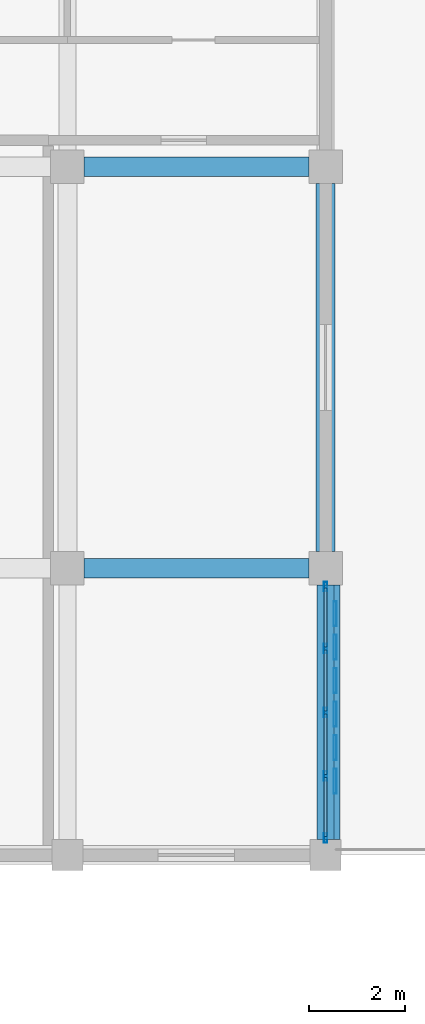
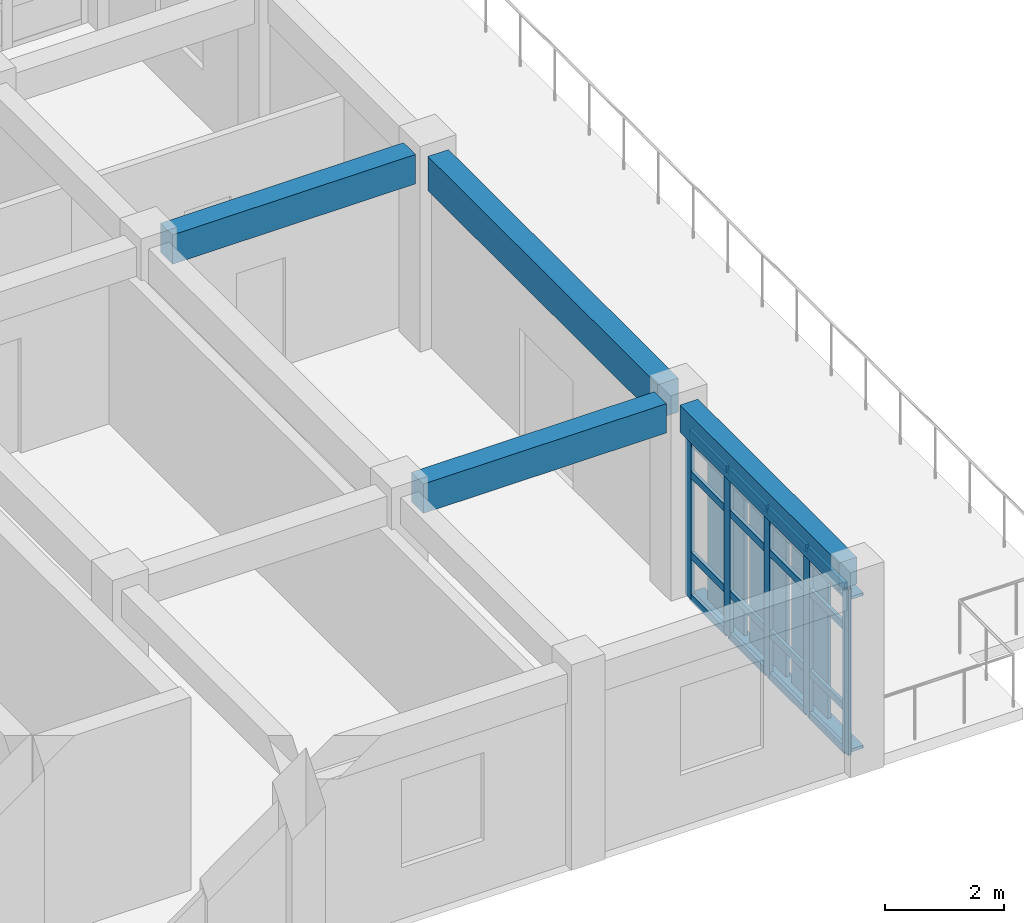
# One storey, part 12 of 23: 29 members, 4 beams, 1 element without a shape of its own.
"""IFC4 building model written with IfcOpenShell, lengths in metres."""

from ifc_helpers import new_model, si_unit, direction, frame, origin, origin_2d, place, context, subcontext, project, spatial, rectangle, hollow_rectangle, extrude, material, layer, layer_set, material_profile, profile_set, type_object, element, aggregate, save


model = new_model("IFC4")

# Units and contexts
model_context = context("Model", 3, precision=1e-05, world=origin(), true_north=direction((0.0, 1.0)))
body_context = subcontext(model_context, "Body", "Model", "MODEL_VIEW")
ifc_project = project(units=[si_unit("LENGTHUNIT", "METRE"), si_unit("AREAUNIT", "SQUARE_METRE"), si_unit("VOLUMEUNIT", "CUBIC_METRE"), si_unit("PLANEANGLEUNIT", "RADIAN"), si_unit("MASSUNIT", "GRAM", prefix="KILO")], contexts=[model_context])

# Site, building, storey
site_placement = place(None, origin())
site = spatial("IfcSite", under=ifc_project, at=site_placement, CompositionType="ELEMENT")
building_placement = place(site_placement, origin())
building = spatial("IfcBuilding", under=site, at=building_placement, Name="Krzemoval Escarpment Law Courts", CompositionType="ELEMENT")
storey_placement = place(building_placement, frame((0.0, 0.0, 33.60009765625)))
storey = spatial("IfcBuildingStorey", under=building, at=storey_placement, Name="L07", CompositionType="ELEMENT", Elevation=33.60009765625)

# Beams
ifc_material_1 = material(Name="Concrete C40/50", Category="concrete")
ifc_material_profile_1 = material_profile(ifc_material_1, rectangle(XDim=0.35009765625, YDim=0.550048828125, at=origin_2d()), Name="RCB 350x550")
ifc_profile_set_1 = profile_set([ifc_material_profile_1], Name="Concrete C40/50")
beam_type_1 = type_object("IfcBeamType", Name="BM-RC-350x550", PredefinedType="BEAM", material=ifc_profile_set_1)
beam_1_placement = place(storey_placement, frame((162.0, 93.925048828125, 3.6748046875), z_axis=(0.0, 1.0, 0.0), x_axis=(-1.0, 0.0, 0.0)))
element("IfcBeam", 1, at=beam_1_placement, inside=storey, type_object=beam_type_1, Name="Beam FG-L07-2737", PredefinedType="BEAM", context=body_context, shape_type="SweptSolid", body=[
    extrude(rectangle(XDim=0.35009765625, YDim=0.550048828125, at=origin_2d()), origin(), (0.0, 0.0, 1.0), 5.324951171875),
])
ifc_material_2 = material(Name="Concrete C40/50", Category="concrete")
ifc_material_profile_2 = material_profile(ifc_material_2, rectangle(XDim=0.39990234375, YDim=0.60009765625, at=origin_2d()), Name="RCB 400x600")
ifc_profile_set_2 = profile_set([ifc_material_profile_2], Name="Concrete C40/50")
beam_type_2 = type_object("IfcBeamType", Name="BM-RC-400x600", PredefinedType="BEAM", material=ifc_profile_set_2)
for number, where, z_axis, x_axis, name in (
    (2, (156.949951171875, 99.60009765625, 3.64990234375), (1.0, 0.0, 0.0), (0.0, 1.0, 0.0), "Beam FG-L07-2701"),
    (3, (156.949951171875, 108.0, 3.64990234375), (1.0, 0.0, 0.0), (0.0, 1.0, 0.0), "Beam FG-L07-2703"),
):
    element("IfcBeam", number, at=place(storey_placement, frame(where, z_axis=z_axis, x_axis=x_axis)), inside=storey, type_object=beam_type_2, Name=name, PredefinedType="BEAM", context=body_context, shape_type="SweptSolid", body=[
        extrude(rectangle(XDim=0.39990234375, YDim=0.60009765625, at=origin_2d()), origin(), (0.0, 0.0, 1.0), 4.699951171875),
    ])
ifc_material_3 = material(Name="Concrete C40/50", Category="concrete")
ifc_material_profile_3 = material_profile(ifc_material_3, rectangle(XDim=0.39990234375, YDim=0.699951171875, at=origin_2d()), Name="RCB 400x700")
ifc_profile_set_3 = profile_set([ifc_material_profile_3], Name="Concrete C40/50")
beam_type_3 = type_object("IfcBeamType", Name="BM-RC-400x700", PredefinedType="BEAM", material=ifc_profile_set_3)
beam_2_placement = place(storey_placement, frame((162.0, 99.949951171875, 3.599853515625), z_axis=(0.0, 1.0, 0.0), x_axis=(-1.0, 0.0, 0.0)))
element("IfcBeam", 4, at=beam_2_placement, inside=storey, type_object=beam_type_3, Name="Beam FG-L07-2738", PredefinedType="BEAM", context=body_context, shape_type="SweptSolid", body=[
    extrude(rectangle(XDim=0.39990234375, YDim=0.699951171875, at=origin_2d()), origin(), (0.0, 0.0, 1.0), 7.699951171875),
])

# Curtain wall, members
ifc_material_4 = material(Name="Aluminium 6063-T6", Category="aluminium")
ifc_layer = layer(ifc_material_4, 0.219970703125)
ifc_layer_set = layer_set([ifc_layer], Name="Aluminium 6063-T6")
curtain_wall_type = type_object("IfcCurtainWallType", Name="CW-CHMB-4200", PredefinedType="USERDEFINED", material=ifc_layer_set)
curtain_wall_placement = place(storey_placement, origin())
curtain_wall = element("IfcCurtainWall", 5, at=curtain_wall_placement, inside=storey, type_object=curtain_wall_type, Name="Unitised Curtain Wall FCW-L07-160", ObjectType="UNITISED_CURTAIN_WALL", PredefinedType="USERDEFINED")
ifc_material_5 = material(Name="Aluminium 6063-T6", Category="aluminium")
ifc_material_profile_4 = material_profile(ifc_material_5, hollow_rectangle(XDim=0.06494140625, YDim=0.199951171875, WallThickness=0.00439453125, at=origin_2d()), Name="ALU M65x200")
ifc_profile_set_4 = profile_set([ifc_material_profile_4], Name="Aluminium 6063-T6")
member_type_1 = type_object("IfcMemberType", Name="CWM-65x200", PredefinedType="MULLION", material=ifc_profile_set_4)
member_1_placement = place(storey_placement, frame((162.0, 99.217529296875, 0.0), z_axis=(0.0, 0.0, 1.0), x_axis=(1.0, 0.0, 0.0)))
member_1 = element("IfcMember", 6, at=member_1_placement, type_object=member_type_1, Name="FCW-L07-160 mullion 1", PredefinedType="MULLION", context=body_context, shape_type="SweptSolid", body=[
    extrude(hollow_rectangle(XDim=0.06494140625, YDim=0.199951171875, WallThickness=0.00439453125, at=origin_2d()), origin(), (0.0, 0.0, 1.0), 3.39990234375),
])
member_2_placement = place(storey_placement, frame((162.0, 97.918701171875, 0.0), z_axis=(0.0, 0.0, 1.0), x_axis=(1.0, 0.0, 0.0)))
member_2 = element("IfcMember", 7, at=member_2_placement, type_object=member_type_1, Name="FCW-L07-160 mullion 2", PredefinedType="MULLION", context=body_context, shape_type="SweptSolid", body=[
    extrude(hollow_rectangle(XDim=0.06494140625, YDim=0.199951171875, WallThickness=0.00439453125, at=origin_2d()), origin(), (0.0, 0.0, 1.0), 3.39990234375),
])
member_3_placement = place(storey_placement, frame((162.0, 96.58740234375, 0.0), z_axis=(0.0, 0.0, 1.0), x_axis=(1.0, 0.0, 0.0)))
member_3 = element("IfcMember", 8, at=member_3_placement, type_object=member_type_1, Name="FCW-L07-160 mullion 3", PredefinedType="MULLION", context=body_context, shape_type="SweptSolid", body=[
    extrude(hollow_rectangle(XDim=0.06494140625, YDim=0.199951171875, WallThickness=0.00439453125, at=origin_2d()), origin(), (0.0, 0.0, 1.0), 3.39990234375),
])
member_4_placement = place(storey_placement, frame((162.0, 95.25634765625, 0.0), z_axis=(0.0, 0.0, 1.0), x_axis=(1.0, 0.0, 0.0)))
member_4 = element("IfcMember", 9, at=member_4_placement, type_object=member_type_1, Name="FCW-L07-160 mullion 4", PredefinedType="MULLION", context=body_context, shape_type="SweptSolid", body=[
    extrude(hollow_rectangle(XDim=0.06494140625, YDim=0.199951171875, WallThickness=0.00439453125, at=origin_2d()), origin(), (0.0, 0.0, 1.0), 3.39990234375),
])
member_5_placement = place(storey_placement, frame((162.0, 93.95751953125, 0.0), z_axis=(0.0, 0.0, 1.0), x_axis=(1.0, 0.0, 0.0)))
member_5 = element("IfcMember", 10, at=member_5_placement, type_object=member_type_1, Name="FCW-L07-160 mullion 5", PredefinedType="MULLION", context=body_context, shape_type="SweptSolid", body=[
    extrude(hollow_rectangle(XDim=0.06494140625, YDim=0.199951171875, WallThickness=0.00439453125, at=origin_2d()), origin(), (0.0, 0.0, 1.0), 3.39990234375),
])
ifc_material_6 = material(Name="Aluminium 6063-T6", Category="aluminium")
ifc_material_profile_5 = material_profile(ifc_material_6, hollow_rectangle(XDim=0.06494140625, YDim=0.14990234375, WallThickness=0.00439453125, at=origin_2d()), Name="ALU T65x150")
ifc_profile_set_5 = profile_set([ifc_material_profile_5], Name="Aluminium 6063-T6")
member_type_2 = type_object("IfcMemberType", Name="CWT-65x150", PredefinedType="USERDEFINED", material=ifc_profile_set_5)
member_6_placement = place(storey_placement, frame((162.0, 99.18505859375, 0.032470703125), z_axis=(0.0, -1.0, 0.0), x_axis=(1.0, 0.0, 0.0)))
member_6 = element("IfcMember", 11, at=member_6_placement, type_object=member_type_2, Name="FCW-L07-160 transom 1.1", ObjectType="TRANSOM", PredefinedType="USERDEFINED", context=body_context, shape_type="SweptSolid", body=[
    extrude(hollow_rectangle(XDim=0.06494140625, YDim=0.14990234375, WallThickness=0.00439453125, at=origin_2d()), origin(), (0.0, 0.0, 1.0), 1.23388671875),
])
member_7_placement = place(storey_placement, frame((162.0, 99.18505859375, 0.89990234375), z_axis=(0.0, -1.0, 0.0), x_axis=(1.0, 0.0, 0.0)))
member_7 = element("IfcMember", 12, at=member_7_placement, type_object=member_type_2, Name="FCW-L07-160 transom 1.2", ObjectType="TRANSOM", PredefinedType="USERDEFINED", context=body_context, shape_type="SweptSolid", body=[
    extrude(hollow_rectangle(XDim=0.06494140625, YDim=0.14990234375, WallThickness=0.00439453125, at=origin_2d()), origin(), (0.0, 0.0, 1.0), 1.23388671875),
])
member_8_placement = place(storey_placement, frame((162.0, 99.18505859375, 2.5498046875), z_axis=(0.0, -1.0, 0.0), x_axis=(1.0, 0.0, 0.0)))
member_8 = element("IfcMember", 13, at=member_8_placement, type_object=member_type_2, Name="FCW-L07-160 transom 1.3", ObjectType="TRANSOM", PredefinedType="USERDEFINED", context=body_context, shape_type="SweptSolid", body=[
    extrude(hollow_rectangle(XDim=0.06494140625, YDim=0.14990234375, WallThickness=0.00439453125, at=origin_2d()), origin(), (0.0, 0.0, 1.0), 1.23388671875),
])
member_9_placement = place(storey_placement, frame((162.0, 99.18505859375, 3.367431640625), z_axis=(0.0, -1.0, 0.0), x_axis=(1.0, 0.0, 0.0)))
member_9 = element("IfcMember", 14, at=member_9_placement, type_object=member_type_2, Name="FCW-L07-160 transom 1.4", ObjectType="TRANSOM", PredefinedType="USERDEFINED", context=body_context, shape_type="SweptSolid", body=[
    extrude(hollow_rectangle(XDim=0.06494140625, YDim=0.14990234375, WallThickness=0.00439453125, at=origin_2d()), origin(), (0.0, 0.0, 1.0), 1.23388671875),
])
member_10_placement = place(storey_placement, frame((162.0, 97.88623046875, 0.032470703125), z_axis=(0.0, -1.0, 0.0), x_axis=(1.0, 0.0, 0.0)))
member_10 = element("IfcMember", 15, at=member_10_placement, type_object=member_type_2, Name="FCW-L07-160 transom 2.1", ObjectType="TRANSOM", PredefinedType="USERDEFINED", context=body_context, shape_type="SweptSolid", body=[
    extrude(hollow_rectangle(XDim=0.06494140625, YDim=0.14990234375, WallThickness=0.00439453125, at=origin_2d()), origin(), (0.0, 0.0, 1.0), 1.26611328125),
])
member_11_placement = place(storey_placement, frame((162.0, 97.88623046875, 0.89990234375), z_axis=(0.0, -1.0, 0.0), x_axis=(1.0, 0.0, 0.0)))
member_11 = element("IfcMember", 16, at=member_11_placement, type_object=member_type_2, Name="FCW-L07-160 transom 2.2", ObjectType="TRANSOM", PredefinedType="USERDEFINED", context=body_context, shape_type="SweptSolid", body=[
    extrude(hollow_rectangle(XDim=0.06494140625, YDim=0.14990234375, WallThickness=0.00439453125, at=origin_2d()), origin(), (0.0, 0.0, 1.0), 1.26611328125),
])
member_12_placement = place(storey_placement, frame((162.0, 97.88623046875, 2.5498046875), z_axis=(0.0, -1.0, 0.0), x_axis=(1.0, 0.0, 0.0)))
member_12 = element("IfcMember", 17, at=member_12_placement, type_object=member_type_2, Name="FCW-L07-160 transom 2.3", ObjectType="TRANSOM", PredefinedType="USERDEFINED", context=body_context, shape_type="SweptSolid", body=[
    extrude(hollow_rectangle(XDim=0.06494140625, YDim=0.14990234375, WallThickness=0.00439453125, at=origin_2d()), origin(), (0.0, 0.0, 1.0), 1.26611328125),
])
member_13_placement = place(storey_placement, frame((162.0, 97.88623046875, 3.367431640625), z_axis=(0.0, -1.0, 0.0), x_axis=(1.0, 0.0, 0.0)))
member_13 = element("IfcMember", 18, at=member_13_placement, type_object=member_type_2, Name="FCW-L07-160 transom 2.4", ObjectType="TRANSOM", PredefinedType="USERDEFINED", context=body_context, shape_type="SweptSolid", body=[
    extrude(hollow_rectangle(XDim=0.06494140625, YDim=0.14990234375, WallThickness=0.00439453125, at=origin_2d()), origin(), (0.0, 0.0, 1.0), 1.26611328125),
])
member_14_placement = place(storey_placement, frame((162.0, 96.554931640625, 0.032470703125), z_axis=(0.0, -1.0, 0.0), x_axis=(1.0, 0.0, 0.0)))
member_14 = element("IfcMember", 19, at=member_14_placement, type_object=member_type_2, Name="FCW-L07-160 transom 3.1", ObjectType="TRANSOM", PredefinedType="USERDEFINED", context=body_context, shape_type="SweptSolid", body=[
    extrude(hollow_rectangle(XDim=0.06494140625, YDim=0.14990234375, WallThickness=0.00439453125, at=origin_2d()), origin(), (0.0, 0.0, 1.0), 1.26611328125),
])
member_15_placement = place(storey_placement, frame((162.0, 96.554931640625, 0.89990234375), z_axis=(0.0, -1.0, 0.0), x_axis=(1.0, 0.0, 0.0)))
member_15 = element("IfcMember", 20, at=member_15_placement, type_object=member_type_2, Name="FCW-L07-160 transom 3.2", ObjectType="TRANSOM", PredefinedType="USERDEFINED", context=body_context, shape_type="SweptSolid", body=[
    extrude(hollow_rectangle(XDim=0.06494140625, YDim=0.14990234375, WallThickness=0.00439453125, at=origin_2d()), origin(), (0.0, 0.0, 1.0), 1.26611328125),
])
member_16_placement = place(storey_placement, frame((162.0, 96.554931640625, 2.5498046875), z_axis=(0.0, -1.0, 0.0), x_axis=(1.0, 0.0, 0.0)))
member_16 = element("IfcMember", 21, at=member_16_placement, type_object=member_type_2, Name="FCW-L07-160 transom 3.3", ObjectType="TRANSOM", PredefinedType="USERDEFINED", context=body_context, shape_type="SweptSolid", body=[
    extrude(hollow_rectangle(XDim=0.06494140625, YDim=0.14990234375, WallThickness=0.00439453125, at=origin_2d()), origin(), (0.0, 0.0, 1.0), 1.26611328125),
])
member_17_placement = place(storey_placement, frame((162.0, 96.554931640625, 3.367431640625), z_axis=(0.0, -1.0, 0.0), x_axis=(1.0, 0.0, 0.0)))
member_17 = element("IfcMember", 22, at=member_17_placement, type_object=member_type_2, Name="FCW-L07-160 transom 3.4", ObjectType="TRANSOM", PredefinedType="USERDEFINED", context=body_context, shape_type="SweptSolid", body=[
    extrude(hollow_rectangle(XDim=0.06494140625, YDim=0.14990234375, WallThickness=0.00439453125, at=origin_2d()), origin(), (0.0, 0.0, 1.0), 1.26611328125),
])
member_18_placement = place(storey_placement, frame((162.0, 95.2236328125, 0.032470703125), z_axis=(0.0, -1.0, 0.0), x_axis=(1.0, 0.0, 0.0)))
member_18 = element("IfcMember", 23, at=member_18_placement, type_object=member_type_2, Name="FCW-L07-160 transom 4.1", ObjectType="TRANSOM", PredefinedType="USERDEFINED", context=body_context, shape_type="SweptSolid", body=[
    extrude(hollow_rectangle(XDim=0.06494140625, YDim=0.14990234375, WallThickness=0.00439453125, at=origin_2d()), origin(), (0.0, 0.0, 1.0), 1.233642578125),
])
member_19_placement = place(storey_placement, frame((162.0, 95.2236328125, 0.89990234375), z_axis=(0.0, -1.0, 0.0), x_axis=(1.0, 0.0, 0.0)))
member_19 = element("IfcMember", 24, at=member_19_placement, type_object=member_type_2, Name="FCW-L07-160 transom 4.2", ObjectType="TRANSOM", PredefinedType="USERDEFINED", context=body_context, shape_type="SweptSolid", body=[
    extrude(hollow_rectangle(XDim=0.06494140625, YDim=0.14990234375, WallThickness=0.00439453125, at=origin_2d()), origin(), (0.0, 0.0, 1.0), 1.233642578125),
])
member_20_placement = place(storey_placement, frame((162.0, 95.2236328125, 2.5498046875), z_axis=(0.0, -1.0, 0.0), x_axis=(1.0, 0.0, 0.0)))
member_20 = element("IfcMember", 25, at=member_20_placement, type_object=member_type_2, Name="FCW-L07-160 transom 4.3", ObjectType="TRANSOM", PredefinedType="USERDEFINED", context=body_context, shape_type="SweptSolid", body=[
    extrude(hollow_rectangle(XDim=0.06494140625, YDim=0.14990234375, WallThickness=0.00439453125, at=origin_2d()), origin(), (0.0, 0.0, 1.0), 1.233642578125),
])
member_21_placement = place(storey_placement, frame((162.0, 95.2236328125, 3.367431640625), z_axis=(0.0, -1.0, 0.0), x_axis=(1.0, 0.0, 0.0)))
member_21 = element("IfcMember", 26, at=member_21_placement, type_object=member_type_2, Name="FCW-L07-160 transom 4.4", ObjectType="TRANSOM", PredefinedType="USERDEFINED", context=body_context, shape_type="SweptSolid", body=[
    extrude(hollow_rectangle(XDim=0.06494140625, YDim=0.14990234375, WallThickness=0.00439453125, at=origin_2d()), origin(), (0.0, 0.0, 1.0), 1.233642578125),
])
aggregate(curtain_wall, [member_1, member_2, member_3, member_4, member_5, member_6, member_7, member_8, member_9, member_10, member_11, member_12, member_13, member_14, member_15, member_16, member_17, member_18, member_19, member_20, member_21])

# Members
ifc_material_7 = material(Name="Anodised Aluminium Alloy 6063-T6", Category="aluminium")
ifc_material_profile_6 = material_profile(ifc_material_7, hollow_rectangle(XDim=0.06005859375, YDim=0.320068359375, WallThickness=0.00390625, at=origin_2d()), Name="ALU LVR 60x320")
ifc_profile_set_6 = profile_set([ifc_material_profile_6], Name="Anodised Aluminium Alloy 6063-T6")
member_type_3 = type_object("IfcMemberType", Name="LVR-ALU-320", PredefinedType="USERDEFINED", material=ifc_profile_set_6)
for number, where, z_axis, x_axis, name in (
    (27, (162.139892578125, 99.25, 0.02978515625), (0.0, -1.0, 0.0), (0.0, 0.0, 1.0), "Sunshade Support Rail FSR-L07-1048"),
    (28, (162.139892578125, 99.25, 3.14990234375), (0.0, -1.0, 0.0), (0.0, 0.0, 1.0), "Sunshade Support Rail FSR-L07-1049"),
):
    element("IfcMember", number, at=place(storey_placement, frame(where, z_axis=z_axis, x_axis=x_axis)), inside=storey, type_object=member_type_3, Name=name, ObjectType="SUNSHADE_LOUVRE", PredefinedType="USERDEFINED", context=body_context, shape_type="SweptSolid", body=[
        extrude(hollow_rectangle(XDim=0.06005859375, YDim=0.320068359375, WallThickness=0.00390625, at=origin_2d()), origin(), (0.0, 0.0, 1.0), 5.324951171875),
    ])
ifc_material_8 = material(Name="Anodised Aluminium Alloy 6063-T6", Category="aluminium")
ifc_material_profile_7 = material_profile(ifc_material_8, hollow_rectangle(XDim=0.06494140625, YDim=0.52001953125, WallThickness=0.00439453125, at=origin_2d()), Name="ALU LVR 65x520")
ifc_profile_set_7 = profile_set([ifc_material_profile_7], Name="Anodised Aluminium Alloy 6063-T6")
member_type_4 = type_object("IfcMemberType", Name="LVR-ALU-520", PredefinedType="USERDEFINED", material=ifc_profile_set_7)
for number, where, z_axis, x_axis, name in (
    (29, (162.199951171875, 98.64990234375, 0.059814453125), (0.0, 0.0, 1.0), (1.0, 0.0, 0.0), "Sunshade Louvre Fin FLV-L07-1050"),
    (30, (162.199951171875, 97.949951171875, 0.059814453125), (0.0, 0.0, 1.0), (1.0, 0.0, 0.0), "Sunshade Louvre Fin FLV-L07-1051"),
    (31, (162.199951171875, 97.25, 0.059814453125), (0.0, 0.0, 1.0), (1.0, 0.0, 0.0), "Sunshade Louvre Fin FLV-L07-1052"),
    (32, (162.199951171875, 96.550048828125, 0.059814453125), (0.0, 0.0, 1.0), (1.0, 0.0, 0.0), "Sunshade Louvre Fin FLV-L07-1053"),
    (33, (162.199951171875, 95.85009765625, 0.059814453125), (0.0, 0.0, 1.0), (1.0, 0.0, 0.0), "Sunshade Louvre Fin FLV-L07-1054"),
    (34, (162.199951171875, 95.14990234375, 0.059814453125), (0.0, 0.0, 1.0), (1.0, 0.0, 0.0), "Sunshade Louvre Fin FLV-L07-1055"),
):
    element("IfcMember", number, at=place(storey_placement, frame(where, z_axis=z_axis, x_axis=x_axis)), inside=storey, type_object=member_type_4, Name=name, ObjectType="SUNSHADE_LOUVRE", PredefinedType="USERDEFINED", context=body_context, shape_type="SweptSolid", body=[
        extrude(hollow_rectangle(XDim=0.06494140625, YDim=0.52001953125, WallThickness=0.00439453125, at=origin_2d()), origin(), (0.0, 0.0, 1.0), 3.340087890625),
    ])

save(model, "model.ifc")
